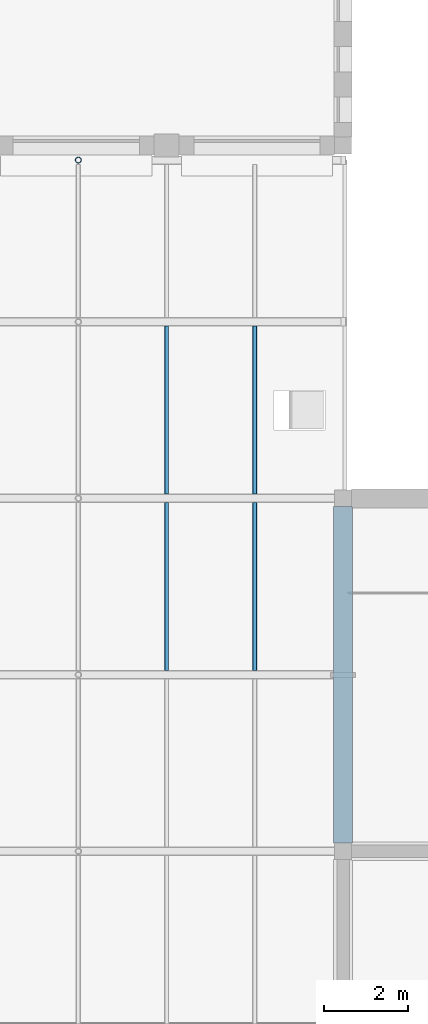
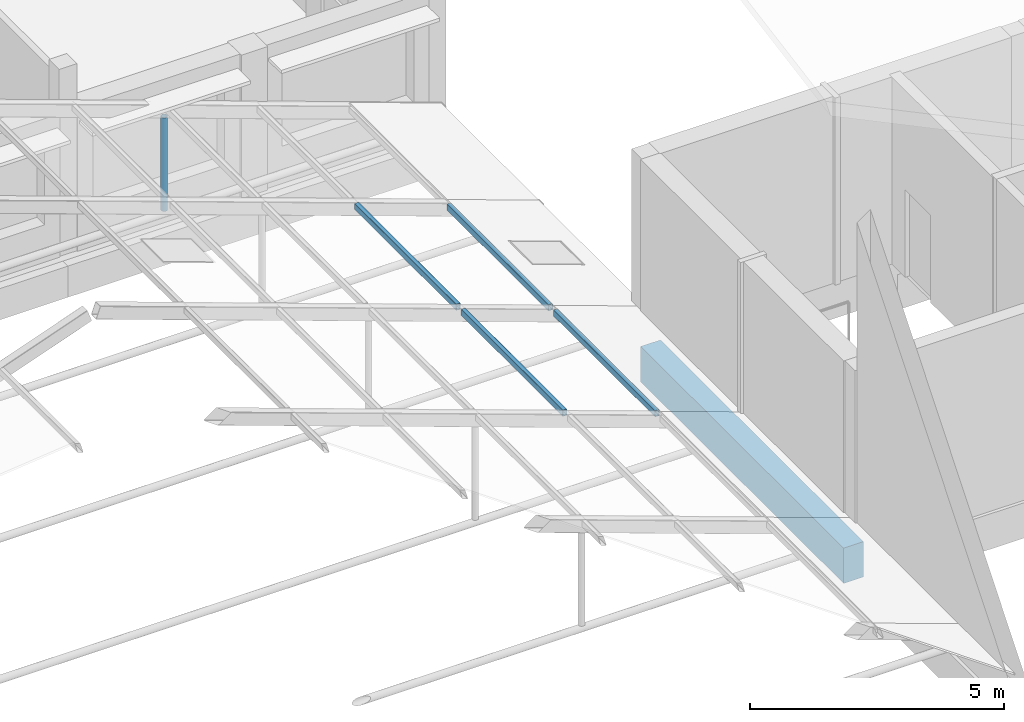
# One storey, part 74 of 116: 5 members, 1 beam.
"""IFC4 building model written with IfcOpenShell, lengths in metres."""

from ifc_helpers import new_model, si_unit, direction, frame, origin, origin_2d, place, context, subcontext, project, spatial, rectangle, hollow_rectangle, hollow_circle, extrude, material, material_profile, profile_set, type_object, element, save


model = new_model("IFC4")

# Units and contexts
model_context = context("Model", 3, precision=1e-05, world=origin(), true_north=direction((0.0, 1.0)))
body_context = subcontext(model_context, "Body", "Model", "MODEL_VIEW")
ifc_project = project(units=[si_unit("LENGTHUNIT", "METRE"), si_unit("AREAUNIT", "SQUARE_METRE"), si_unit("VOLUMEUNIT", "CUBIC_METRE"), si_unit("PLANEANGLEUNIT", "RADIAN"), si_unit("MASSUNIT", "GRAM", prefix="KILO")], contexts=[model_context])

# Site, building, storey
site_placement = place(None, origin())
site = spatial("IfcSite", under=ifc_project, at=site_placement, CompositionType="ELEMENT")
building_placement = place(site_placement, origin())
building = spatial("IfcBuilding", under=site, at=building_placement, Name="Fescue Hill Polytechnic", CompositionType="ELEMENT")
storey_placement = place(building_placement, frame((0.0, 0.0, 13.5)))
storey = spatial("IfcBuildingStorey", under=building, at=storey_placement, Name="L03", CompositionType="ELEMENT", Elevation=13.5)

# Beam
ifc_material_1 = material(Name="Concrete 35 MPa", Category="concrete")
ifc_material_profile_1 = material_profile(ifc_material_1, rectangle(XDim=0.449951171875, YDim=0.85009765625, at=origin_2d()), Name="RC 450x850")
ifc_profile_set_1 = profile_set([ifc_material_profile_1], Name="Concrete 35 MPa")
beam_type = type_object("IfcBeamType", Name="Beam RC 450x850", PredefinedType="BEAM", material=ifc_profile_set_1)
beam_placement = place(storey_placement, frame((117.60009765625, 92.60009765625, -0.425048828125), z_axis=(0.0, 1.0, 0.0), x_axis=(-1.0, 0.0, 0.0)))
element("IfcBeam", 1, at=beam_placement, inside=storey, type_object=beam_type, Name="BM-L03-0145", PredefinedType="BEAM", context=body_context, shape_type="SweptSolid", body=[
    extrude(rectangle(XDim=0.449951171875, YDim=0.85009765625, at=origin_2d()), origin(), (0.0, 0.0, 1.0), 8.0),
])

# Members
ifc_material_2 = material(Name="Steel 350W (350 MPa)", Category="steel")
ifc_material_profile_2 = material_profile(ifc_material_2, hollow_rectangle(XDim=0.1015625, YDim=0.15234375, WallThickness=0.00634765625, InnerFilletRadius=0.00634765625, OuterFilletRadius=0.0126953125, at=origin_2d()), Name="Winter garden glazing purlin HSS 152x102x6.4")
ifc_profile_set_2 = profile_set([ifc_material_profile_2], Name="Steel 350W (350 MPa)")
member_type_1 = type_object("IfcMemberType", Name="Winter garden glazing purlin HSS 152x102x6.4", PredefinedType="PURLIN", material=ifc_profile_set_2)
for number, where, z_axis, x_axis, name in (
    (2, (115.5, 96.70166015625, 1.41455078125), (0.0, 1.0, 0.0), (-1.0, 0.0, 0.0), "Winter garden glazing purlin E1 bay 12"),
    (3, (113.400146484375, 96.70166015625, 2.164306640625), (0.0, 1.0, 0.0), (-1.0, 0.0, 0.0), "Winter garden glazing purlin E2 bay 12"),
    (4, (115.5, 100.901611328125, 1.41455078125), (0.0, 1.0, 0.0), (-1.0, 0.0, 0.0), "Winter garden glazing purlin E1 bay 13"),
    (5, (113.400146484375, 100.901611328125, 2.164306640625), (0.0, 1.0, 0.0), (-1.0, 0.0, 0.0), "Winter garden glazing purlin E2 bay 13"),
):
    element("IfcMember", number, at=place(storey_placement, frame(where, z_axis=z_axis, x_axis=x_axis)), inside=storey, type_object=member_type_1, Name=name, PredefinedType="PURLIN", context=body_context, shape_type="SweptSolid", body=[
        extrude(hollow_rectangle(XDim=0.1015625, YDim=0.15234375, WallThickness=0.00634765625, InnerFilletRadius=0.00634765625, OuterFilletRadius=0.0126953125, at=origin_2d()), origin(), (0.0, 0.0, 1.0), 3.996826171875),
    ])
ifc_material_profile_3 = material_profile(ifc_material_2, hollow_circle(Radius=0.070556640625, WallThickness=0.00634765625, at=origin_2d()), Name="Winter garden queen post CHS 141x6.4")
ifc_profile_set_3 = profile_set([ifc_material_profile_3], Name="Steel 350W (350 MPa)")
member_type_2 = type_object("IfcMemberType", Name="Winter garden queen post CHS 141x6.4", PredefinedType="POST", material=ifc_profile_set_3)
member_placement = place(storey_placement, frame((111.300048828125, 108.85009765625, 0.4169921875), z_axis=(0.0, 0.0, 1.0), x_axis=(1.0, 0.0, 0.0)))
element("IfcMember", 6, at=member_placement, inside=storey, type_object=member_type_2, Name="Winter garden queen post 15B", PredefinedType="POST", context=body_context, shape_type="SweptSolid", body=[
    extrude(hollow_circle(Radius=0.070556640625, WallThickness=0.00634765625, at=origin_2d()), origin(), (0.0, 0.0, 1.0), 2.25),
])

save(model, "model.ifc")
